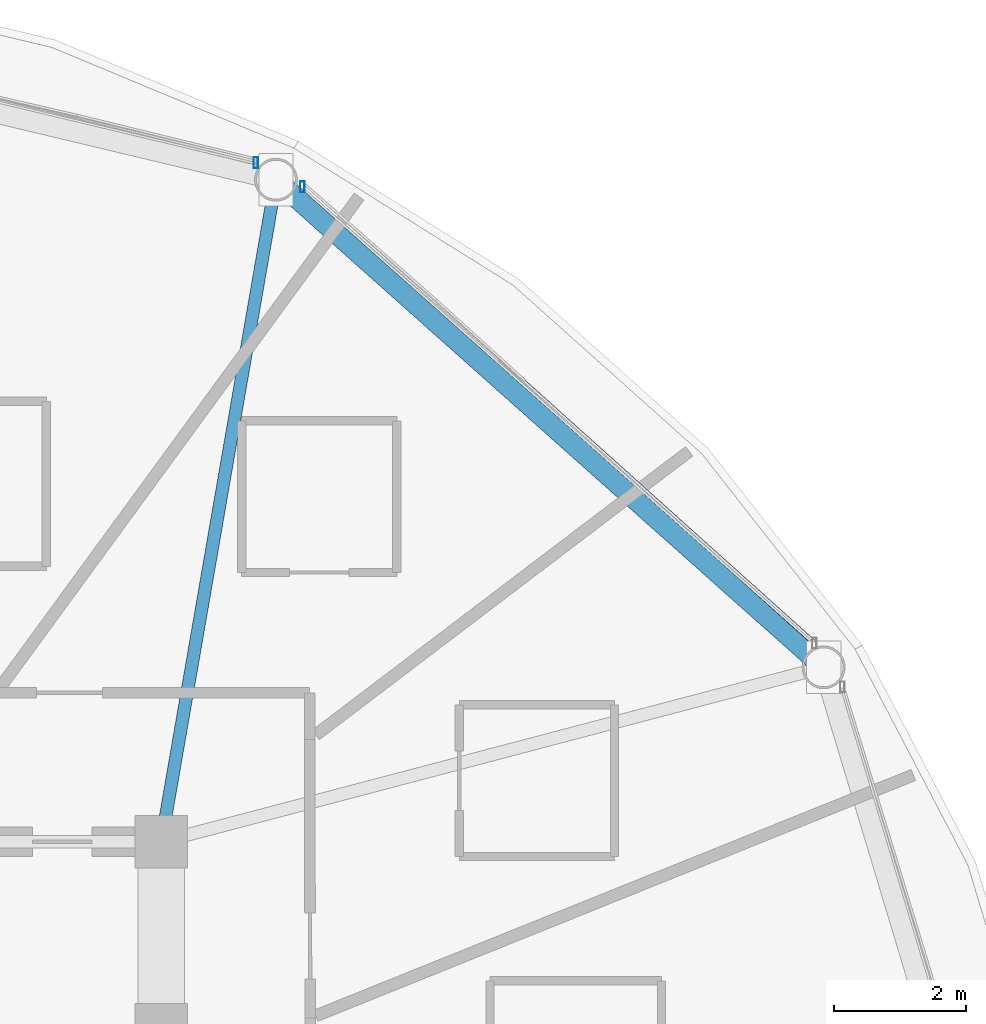
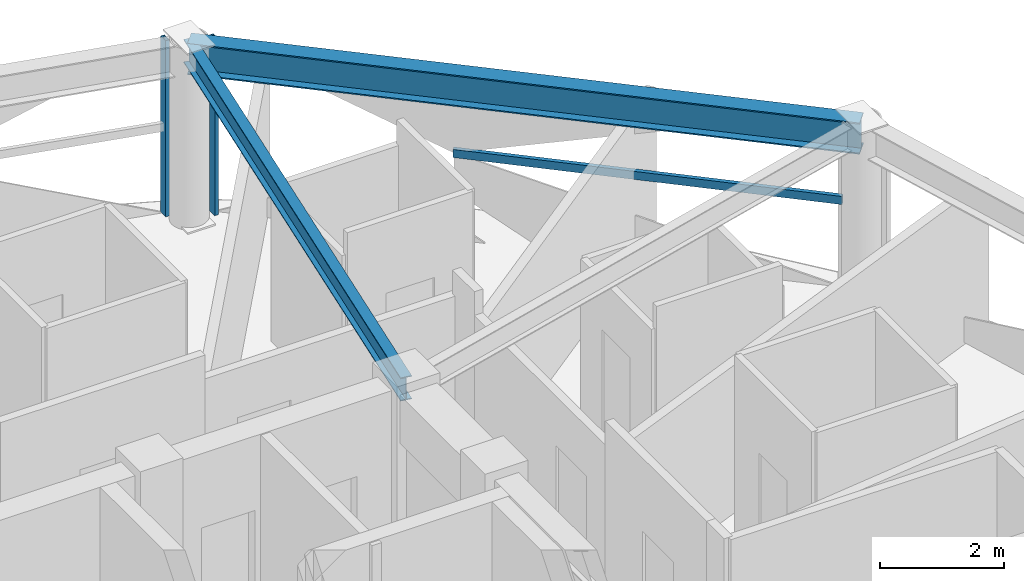
# One storey, part 20 of 30: 3 members, 2 beams, 2 elements without a shape of their own.
"""IFC4 building model written with IfcOpenShell, lengths in metres."""

from ifc_helpers import new_model, si_unit, direction, frame, origin, origin_2d, place, context, subcontext, project, spatial, hollow_rectangle, i_section, extrude, material, layer, layer_set, material_profile, profile_set, type_object, element, aggregate, save


model = new_model("IFC4")

# Units and contexts
model_context = context("Model", 3, precision=1e-05, world=origin(), true_north=direction((0.0, 1.0)))
body_context = subcontext(model_context, "Body", "Model", "MODEL_VIEW")
ifc_project = project(units=[si_unit("LENGTHUNIT", "METRE"), si_unit("AREAUNIT", "SQUARE_METRE"), si_unit("VOLUMEUNIT", "CUBIC_METRE"), si_unit("PLANEANGLEUNIT", "RADIAN"), si_unit("MASSUNIT", "GRAM", prefix="KILO")], contexts=[model_context])

# Site, building, storey
site_placement = place(None, origin())
site = spatial("IfcSite", under=ifc_project, at=site_placement, CompositionType="ELEMENT")
building_placement = place(site_placement, origin())
building = spatial("IfcBuilding", under=site, at=building_placement, Name="Vantalir Tower", CompositionType="ELEMENT")
storey_placement = place(building_placement, frame((0.0, 0.0, 193.64990234375)))
storey = spatial("IfcBuildingStorey", under=building, at=storey_placement, Name="L48", CompositionType="ELEMENT", Elevation=193.64990234375)

# Beams
ifc_material_1 = material(Name="Steel S355", Category="steel")
ifc_material_profile_1 = material_profile(ifc_material_1, i_section(OverallWidth=0.19189453125, OverallDepth=0.462890625, WebThickness=0.010498046875, FlangeThickness=0.017578125, at=origin_2d()), Name="Steel S355")
ifc_profile_set_1 = profile_set([ifc_material_profile_1], Name="Steel S355")
beam_type_1 = type_object("IfcBeamType", Name="BM-RB-457x191", PredefinedType="BEAM", material=ifc_profile_set_1)
beam_1_placement = place(storey_placement, frame((42.837890625, 42.48291015625, 3.338134765625), z_axis=(-0.170667231152, -0.98532872495, 0.0), x_axis=(0.98532872495, -0.170667231152, 0.0)))
element("IfcBeam", 1, at=beam_1_placement, inside=storey, type_object=beam_type_1, Name="L48 Radial Floor Beam 03", PredefinedType="BEAM", context=body_context, shape_type="SweptSolid", body=[
    extrude(i_section(OverallWidth=0.19189453125, OverallDepth=0.462890625, WebThickness=0.010498046875, FlangeThickness=0.017578125, at=origin_2d()), origin(), (0.0, 0.0, 1.0), 10.182373046875),
])
ifc_material_2 = material(Name="Steel S460", Category="steel")
ifc_material_profile_2 = material_profile(ifc_material_2, i_section(OverallWidth=0.306884765625, OverallDepth=0.6201171875, WebThickness=0.01416015625, FlangeThickness=0.023681640625, at=origin_2d()), Name="Steel S460")
ifc_profile_set_2 = profile_set([ifc_material_profile_2], Name="Steel S460")
beam_type_2 = type_object("IfcBeamType", Name="BM-RG-610x305", PredefinedType="USERDEFINED", material=ifc_profile_set_2)
beam_2_placement = place(storey_placement, frame((51.137939453125, 35.093994140625, 3.260009765625), z_axis=(-0.746913346666, 0.664921388265, 0.0), x_axis=(-0.664921388265, -0.746913346666, 0.0)))
element("IfcBeam", 2, at=beam_2_placement, inside=storey, type_object=beam_type_2, Name="L48 Circumferential Ring Girder 02", ObjectType="GIRDER", PredefinedType="USERDEFINED", context=body_context, shape_type="SweptSolid", body=[
    extrude(i_section(OverallWidth=0.306884765625, OverallDepth=0.6201171875, WebThickness=0.01416015625, FlangeThickness=0.023681640625, at=origin_2d()), origin(), (0.0, 0.0, 1.0), 11.112548828125),
])

# Curtain wall, member
ifc_material_3 = material(Name="Champagne-silver PVDF aluminium and double-silver Low-E glass", Category="aluminium")
ifc_layer = layer(ifc_material_3, 0.2099609375)
ifc_layer_set = layer_set([ifc_layer], Name="Champagne-silver PVDF aluminium and double-silver Low-E glass")
curtain_wall_type = type_object("IfcCurtainWallType", Name="CW-DIAMOND-Z3", PredefinedType="USERDEFINED", material=ifc_layer_set)
curtain_wall_1_placement = place(storey_placement, origin())
curtain_wall_1 = element("IfcCurtainWall", 3, at=curtain_wall_1_placement, inside=storey, type_object=curtain_wall_type, Name="L48 Quilted Pyramid-Diamond Curtain Wall S02", ObjectType="UNITISED CURTAIN WALL", PredefinedType="USERDEFINED")
ifc_material_4 = material(Name="Champagne-silver PVDF aluminium 6063-T6", Category="aluminium")
ifc_material_profile_3 = material_profile(ifc_material_4, hollow_rectangle(XDim=0.070068359375, YDim=0.1650390625, WallThickness=0.00390625, at=origin_2d()), Name="Champagne-silver PVDF aluminium 6063-T6")
ifc_profile_set_3 = profile_set([ifc_material_profile_3], Name="Champagne-silver PVDF aluminium 6063-T6")
member_type_1 = type_object("IfcMemberType", Name="CWM-165x70", PredefinedType="MULLION", material=ifc_profile_set_3)
member_1_placement = place(storey_placement, frame((43.239013671875, 42.375, 0.045166015625), z_axis=(0.0, 0.0, 1.0), x_axis=(1.0, 0.0, 0.0)))
member_1 = element("IfcMember", 4, at=member_1_placement, type_object=member_type_1, Name="CW-L48-S02 Mullion 2", PredefinedType="MULLION", context=body_context, shape_type="SweptSolid", body=[
    extrude(hollow_rectangle(XDim=0.070068359375, YDim=0.1650390625, WallThickness=0.00390625, at=origin_2d()), origin(), (0.0, 0.0, 1.0), 3.47998046875),
])

curtain_wall_2_placement = place(storey_placement, origin())
curtain_wall_2 = element("IfcCurtainWall", 5, at=curtain_wall_2_placement, inside=storey, type_object=curtain_wall_type, Name="L48 Quilted Pyramid-Diamond Curtain Wall S03", ObjectType="UNITISED CURTAIN WALL", PredefinedType="USERDEFINED")
member_2_placement = place(storey_placement, frame((42.533935546875, 42.742919921875, 0.045166015625), z_axis=(0.0, 0.0, 1.0), x_axis=(1.0, 0.0, 0.0)))
member_2 = element("IfcMember", 6, at=member_2_placement, type_object=member_type_1, Name="CW-L48-S03 Mullion 1", PredefinedType="MULLION", context=body_context, shape_type="SweptSolid", body=[
    extrude(hollow_rectangle(XDim=0.070068359375, YDim=0.1650390625, WallThickness=0.00390625, at=origin_2d()), origin(), (0.0, 0.0, 1.0), 3.47998046875),
])
aggregate(curtain_wall_2, [member_2])

# Member
ifc_material_profile_4 = material_profile(ifc_material_4, hollow_rectangle(XDim=0.074951171875, YDim=0.159912109375, WallThickness=0.00390625, at=origin_2d()), Name="Champagne-silver PVDF aluminium 6063-T6")
ifc_profile_set_4 = profile_set([ifc_material_profile_4], Name="Champagne-silver PVDF aluminium 6063-T6")
member_type_2 = type_object("IfcMemberType", Name="CWT-160x75", PredefinedType="USERDEFINED", material=ifc_profile_set_4)
member_3_placement = place(storey_placement, frame((50.9970703125, 35.4619140625, 1.78515625), z_axis=(-0.744119078161, 0.668047002475, 0.0), x_axis=(-0.668047002475, -0.744119078161, 0.0)))
member_3 = element("IfcMember", 7, at=member_3_placement, type_object=member_type_2, Name="CW-L48-S02 Pyramid Fold Ridge Transom", ObjectType="TRANSOM", PredefinedType="USERDEFINED", context=body_context, shape_type="SweptSolid", body=[
    extrude(hollow_rectangle(XDim=0.074951171875, YDim=0.159912109375, WallThickness=0.00390625, at=origin_2d()), origin(), (0.0, 0.0, 1.0), 6.441162109375),
])

aggregate(curtain_wall_1, [member_1, member_3])

save(model, "model.ifc")
